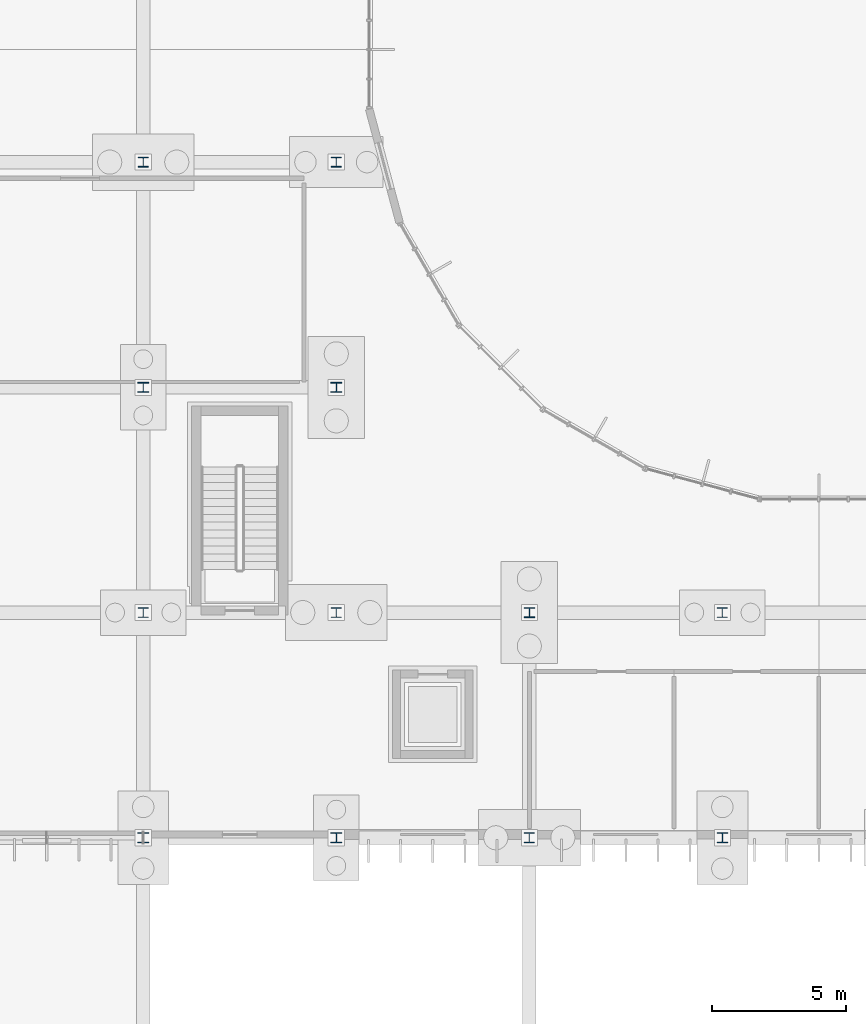
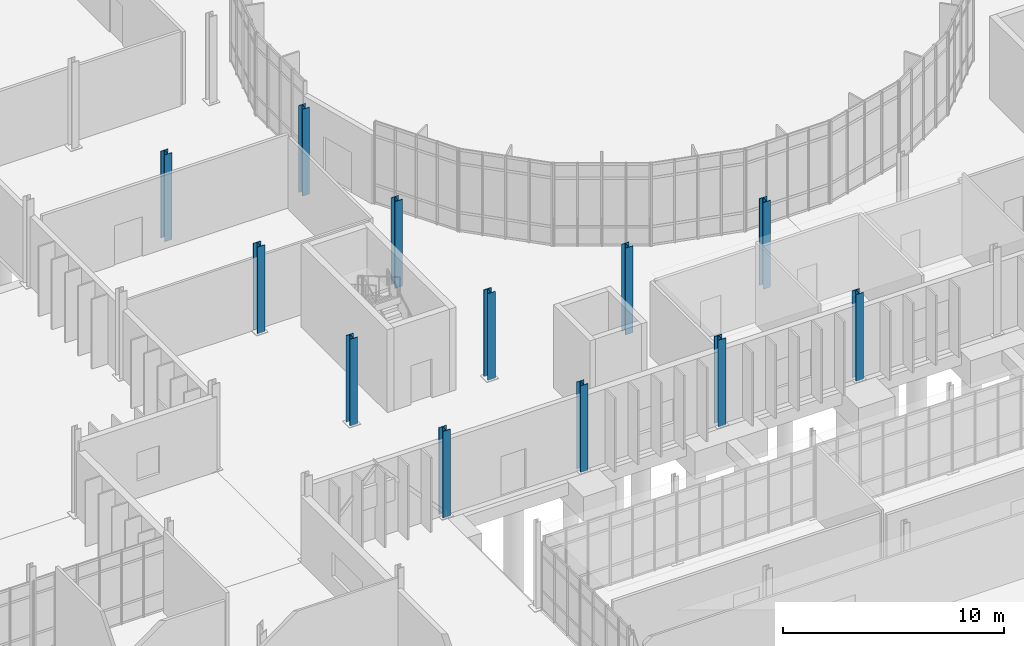
# One storey, part 16 of 118: 12 columns.
"""IFC4 building model written with IfcOpenShell, lengths in metres."""

from ifc_helpers import new_model, si_unit, direction, frame, origin, origin_2d, place, context, subcontext, project, spatial, i_section, extrude, material, material_profile, profile_set, type_object, element, save


model = new_model("IFC4")

# Units and contexts
model_context = context("Model", 3, precision=1e-05, world=origin(), true_north=direction((0.0, 1.0)))
body_context = subcontext(model_context, "Body", "Model", "MODEL_VIEW")
ifc_project = project(units=[si_unit("LENGTHUNIT", "METRE"), si_unit("AREAUNIT", "SQUARE_METRE"), si_unit("VOLUMEUNIT", "CUBIC_METRE"), si_unit("PLANEANGLEUNIT", "RADIAN"), si_unit("MASSUNIT", "GRAM", prefix="KILO")], contexts=[model_context])

# Site, building, storey
site_placement = place(None, origin())
site = spatial("IfcSite", under=ifc_project, at=site_placement, CompositionType="ELEMENT")
building_placement = place(site_placement, origin())
building = spatial("IfcBuilding", under=site, at=building_placement, Name="Qelthora Terrace Specialist Clinic", CompositionType="ELEMENT")
storey_placement = place(building_placement, origin())
storey = spatial("IfcBuildingStorey", under=building, at=storey_placement, Name="L00", CompositionType="ELEMENT", Elevation=0.0)

# Columns
ifc_material = material(Name="Steel S355", Category="steel")
ifc_material_profile_1 = material_profile(ifc_material, i_section(OverallWidth=0.37109375, OverallDepth=0.364013671875, WebThickness=0.01318359375, FlangeThickness=0.021728515625, FilletRadius=0.02001953125, at=origin_2d()), Name="W360X162")
ifc_profile_set_1 = profile_set([ifc_material_profile_1], Name="Steel S355")
column_type_1 = type_object("IfcColumnType", Name="COL-W360X162", PredefinedType="COLUMN", material=ifc_profile_set_1)
column_1_placement = place(storey_placement, frame((108.0, 58.800048828125, 0.0), z_axis=(0.0, 0.0, 1.0), x_axis=(1.0, 0.0, 0.0)))
element("IfcColumn", 1, at=column_1_placement, inside=storey, type_object=column_type_1, Name="Column L00-182", PredefinedType="COLUMN", context=body_context, shape_type="SweptSolid", body=[
    extrude(i_section(OverallWidth=0.37109375, OverallDepth=0.364013671875, WebThickness=0.01318359375, FlangeThickness=0.021728515625, FilletRadius=0.02001953125, at=origin_2d()), origin(), (0.0, 0.0, 1.0), 4.800048828125),
])
ifc_material_profile_2 = material_profile(ifc_material, i_section(OverallWidth=0.3740234375, OverallDepth=0.3720703125, WebThickness=0.016357421875, FlangeThickness=0.026123046875, FilletRadius=0.02001953125, at=origin_2d()), Name="W360X196")
ifc_profile_set_2 = profile_set([ifc_material_profile_2], Name="Steel S355")
column_type_2 = type_object("IfcColumnType", Name="COL-W360X196", PredefinedType="COLUMN", material=ifc_profile_set_2)
column_2_placement = place(storey_placement, frame((100.800048828125, 58.800048828125, 0.0), z_axis=(0.0, 0.0, 1.0), x_axis=(1.0, 0.0, 0.0)))
element("IfcColumn", 2, at=column_2_placement, inside=storey, type_object=column_type_2, Name="Column L00-168", PredefinedType="COLUMN", context=body_context, shape_type="SweptSolid", body=[
    extrude(i_section(OverallWidth=0.3740234375, OverallDepth=0.3720703125, WebThickness=0.016357421875, FlangeThickness=0.026123046875, FilletRadius=0.02001953125, at=origin_2d()), origin(), (0.0, 0.0, 1.0), 4.800048828125),
])
ifc_material_profile_3 = material_profile(ifc_material, i_section(OverallWidth=0.39404296875, OverallDepth=0.375, WebThickness=0.017333984375, FlangeThickness=0.027587890625, FilletRadius=0.02001953125, at=origin_2d()), Name="W360X216")
ifc_profile_set_3 = profile_set([ifc_material_profile_3], Name="Steel S355")
column_type_3 = type_object("IfcColumnType", Name="COL-W360X216", PredefinedType="COLUMN", material=ifc_profile_set_3)
for number, where, z_axis, x_axis, name in (
    (3, (100.800048828125, 33.60009765625, 0.0), (0.0, 0.0, 1.0), (1.0, 0.0, 0.0), "Column L00-165"),
    (4, (100.800048828125, 50.39990234375, 0.0), (0.0, 0.0, 1.0), (1.0, 0.0, 0.0), "Column L00-167"),
    (5, (108.0, 33.60009765625, 0.0), (0.0, 0.0, 1.0), (1.0, 0.0, 0.0), "Column L00-179"),
    (6, (108.0, 50.39990234375, 0.0), (0.0, 0.0, 1.0), (1.0, 0.0, 0.0), "Column L00-181"),
    (7, (115.199951171875, 42.0, 0.0), (0.0, 0.0, 1.0), (1.0, 0.0, 0.0), "Column L00-193"),
    (8, (122.39990234375, 33.60009765625, 0.0), (0.0, 0.0, 1.0), (1.0, 0.0, 0.0), "Column L00-201"),
):
    element("IfcColumn", number, at=place(storey_placement, frame(where, z_axis=z_axis, x_axis=x_axis)), inside=storey, type_object=column_type_3, Name=name, PredefinedType="COLUMN", context=body_context, shape_type="SweptSolid", body=[
        extrude(i_section(OverallWidth=0.39404296875, OverallDepth=0.375, WebThickness=0.017333984375, FlangeThickness=0.027587890625, FilletRadius=0.02001953125, at=origin_2d()), origin(), (0.0, 0.0, 1.0), 4.800048828125),
    ])
ifc_material_profile_4 = material_profile(ifc_material, i_section(OverallWidth=0.39501953125, OverallDepth=0.3798828125, WebThickness=0.018798828125, FlangeThickness=0.0302734375, FilletRadius=0.02001953125, at=origin_2d()), Name="W360X237")
ifc_profile_set_4 = profile_set([ifc_material_profile_4], Name="Steel S355")
column_type_4 = type_object("IfcColumnType", Name="COL-W360X237", PredefinedType="COLUMN", material=ifc_profile_set_4)
for number, where, z_axis, x_axis, name in (
    (9, (100.800048828125, 42.0, 0.0), (0.0, 0.0, 1.0), (1.0, 0.0, 0.0), "Column L00-166"),
    (10, (108.0, 42.0, 0.0), (0.0, 0.0, 1.0), (1.0, 0.0, 0.0), "Column L00-180"),
    (11, (115.199951171875, 33.60009765625, 0.0), (0.0, 0.0, 1.0), (1.0, 0.0, 0.0), "Column L00-192"),
    (12, (122.39990234375, 42.0, 0.0), (0.0, 0.0, 1.0), (1.0, 0.0, 0.0), "Column L00-202"),
):
    element("IfcColumn", number, at=place(storey_placement, frame(where, z_axis=z_axis, x_axis=x_axis)), inside=storey, type_object=column_type_4, Name=name, PredefinedType="COLUMN", context=body_context, shape_type="SweptSolid", body=[
        extrude(i_section(OverallWidth=0.39501953125, OverallDepth=0.3798828125, WebThickness=0.018798828125, FlangeThickness=0.0302734375, FilletRadius=0.02001953125, at=origin_2d()), origin(), (0.0, 0.0, 1.0), 4.800048828125),
    ])

save(model, "model.ifc")
